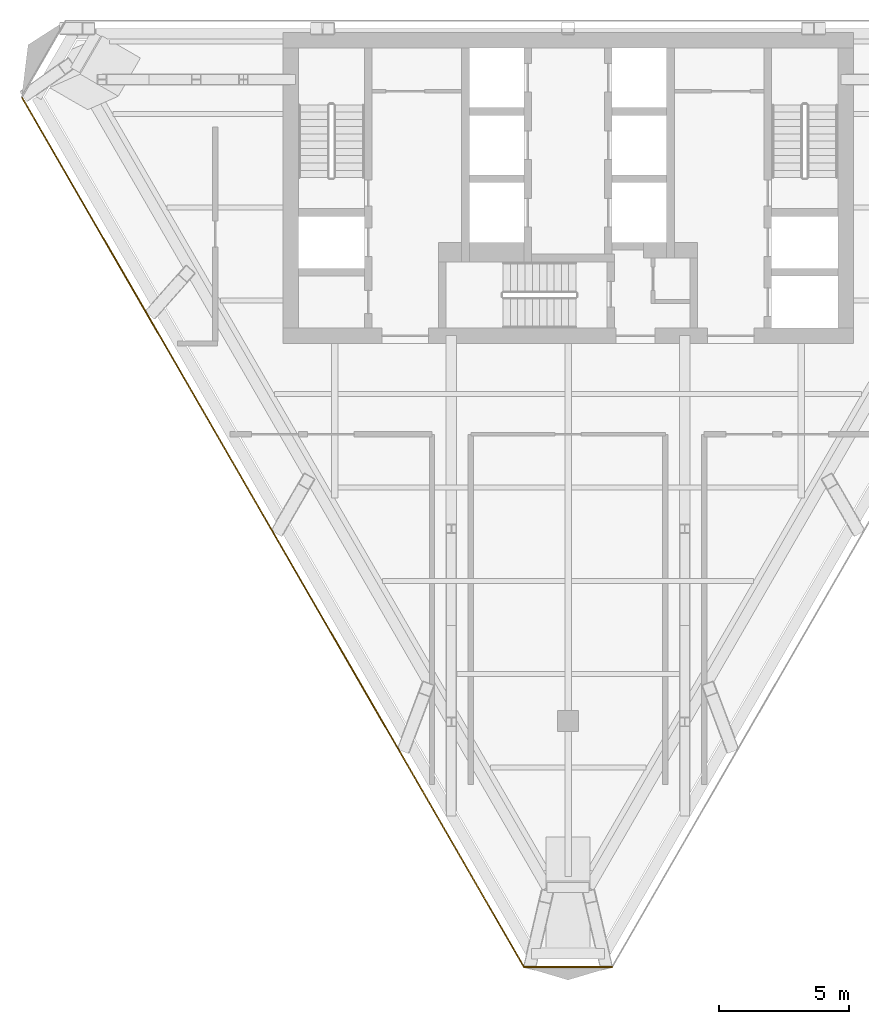
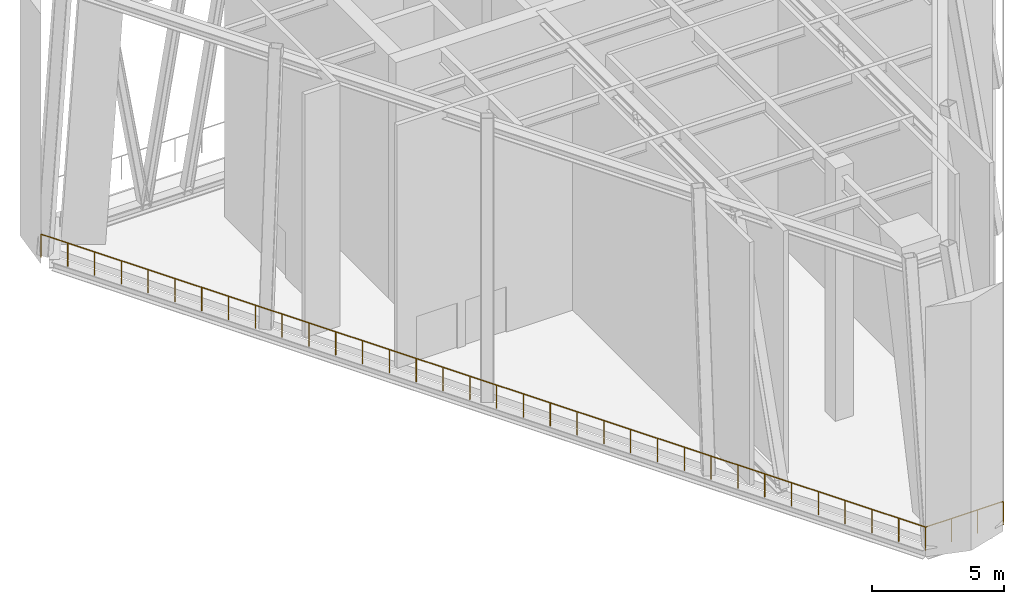
# One storey, part 6 of 11: 2 railings.
"""IFC4 building model written with IfcOpenShell, lengths in metres."""

from ifc_helpers import new_model, si_unit, direction, frame, origin, origin_2d, place, context, subcontext, project, spatial, circle, extrude, material, type_object, element, save


model = new_model("IFC4")

# Units and contexts
model_context = context("Model", 3, precision=1e-05, world=origin(), true_north=direction((0.0, 1.0)))
body_context = subcontext(model_context, "Body", "Model", "MODEL_VIEW")
ifc_project = project(units=[si_unit("LENGTHUNIT", "METRE"), si_unit("AREAUNIT", "SQUARE_METRE"), si_unit("VOLUMEUNIT", "CUBIC_METRE"), si_unit("PLANEANGLEUNIT", "RADIAN"), si_unit("MASSUNIT", "GRAM", prefix="KILO")], contexts=[model_context])

# Site, building, storey
site_placement = place(None, origin())
site = spatial("IfcSite", under=ifc_project, at=site_placement, CompositionType="ELEMENT")
building_placement = place(site_placement, origin())
building = spatial("IfcBuilding", under=site, at=building_placement, Name="Aloe Facet Convention Tower", CompositionType="ELEMENT")
storey_placement = place(building_placement, frame((0.0, 0.0, 227.0)))
storey = spatial("IfcBuildingStorey", under=building, at=storey_placement, Name="L57", CompositionType="ELEMENT", Elevation=227.0)

# Railings
ifc_material = material(Name="Steel S355", Category="steel")
railing_type = type_object("IfcRailingType", Name="EV-GUARD-PORTAL", PredefinedType="GUARDRAIL", material=ifc_material)
railing_1_placement = place(storey_placement, frame((58.935302734375, 132.055419921875, 0.0)))
element("IfcRailing", 1, at=railing_1_placement, inside=storey, type_object=railing_type, Name="GUARD L57-3", PredefinedType="GUARDRAIL", context=body_context, shape_type="SweptSolid", body=[
    extrude(circle(Radius=0.02392578125, at=origin_2d()), frame((0.0, 0.0, 1.076171875), z_axis=(0.500002199942, -0.866024133644, 0.0), x_axis=(0.866024133644, 0.500002199942, 0.0)), (0.0, 0.0, 1.0), 38.729248046875),
    extrude(circle(Radius=0.02099609375, at=origin_2d()), origin(), (0.0, 0.0, 1.0), 1.052001953125),
    extrude(circle(Radius=0.02099609375, at=origin_2d()), frame((0.5869140625, -1.016357421875, 0.0)), (0.0, 0.0, 1.0), 1.052001953125),
    extrude(circle(Radius=0.02099609375, at=origin_2d()), frame((1.173583984375, -2.03271484375, 0.0)), (0.0, 0.0, 1.0), 1.052001953125),
    extrude(circle(Radius=0.02099609375, at=origin_2d()), frame((1.760498046875, -3.049072265625, 0.0)), (0.0, 0.0, 1.0), 1.052001953125),
    extrude(circle(Radius=0.02099609375, at=origin_2d()), frame((2.34716796875, -4.0654296875, 0.0)), (0.0, 0.0, 1.0), 1.052001953125),
    extrude(circle(Radius=0.02099609375, at=origin_2d()), frame((2.93408203125, -5.081787109375, 0.0)), (0.0, 0.0, 1.0), 1.052001953125),
    extrude(circle(Radius=0.02099609375, at=origin_2d()), frame((3.520751953125, -6.098388671875, 0.0)), (0.0, 0.0, 1.0), 1.052001953125),
    extrude(circle(Radius=0.02099609375, at=origin_2d()), frame((4.107666015625, -7.11474609375, 0.0)), (0.0, 0.0, 1.0), 1.052001953125),
    extrude(circle(Radius=0.02099609375, at=origin_2d()), frame((4.694580078125, -8.131103515625, 0.0)), (0.0, 0.0, 1.0), 1.052001953125),
    extrude(circle(Radius=0.02099609375, at=origin_2d()), frame((5.28125, -9.1474609375, 0.0)), (0.0, 0.0, 1.0), 1.052001953125),
    extrude(circle(Radius=0.02099609375, at=origin_2d()), frame((5.8681640625, -10.163818359375, 0.0)), (0.0, 0.0, 1.0), 1.052001953125),
    extrude(circle(Radius=0.02099609375, at=origin_2d()), frame((6.454833984375, -11.18017578125, 0.0)), (0.0, 0.0, 1.0), 1.052001953125),
    extrude(circle(Radius=0.02099609375, at=origin_2d()), frame((7.041748046875, -12.196533203125, 0.0)), (0.0, 0.0, 1.0), 1.052001953125),
    extrude(circle(Radius=0.02099609375, at=origin_2d()), frame((7.62841796875, -13.212890625, 0.0)), (0.0, 0.0, 1.0), 1.052001953125),
    extrude(circle(Radius=0.02099609375, at=origin_2d()), frame((8.21533203125, -14.229248046875, 0.0)), (0.0, 0.0, 1.0), 1.052001953125),
    extrude(circle(Radius=0.02099609375, at=origin_2d()), frame((8.80224609375, -15.24560546875, 0.0)), (0.0, 0.0, 1.0), 1.052001953125),
    extrude(circle(Radius=0.02099609375, at=origin_2d()), frame((9.388916015625, -16.261962890625, 0.0)), (0.0, 0.0, 1.0), 1.052001953125),
    extrude(circle(Radius=0.02099609375, at=origin_2d()), frame((9.975830078125, -17.278564453125, 0.0)), (0.0, 0.0, 1.0), 1.052001953125),
    extrude(circle(Radius=0.02099609375, at=origin_2d()), frame((10.5625, -18.294921875, 0.0)), (0.0, 0.0, 1.0), 1.052001953125),
    extrude(circle(Radius=0.02099609375, at=origin_2d()), frame((11.1494140625, -19.311279296875, 0.0)), (0.0, 0.0, 1.0), 1.052001953125),
    extrude(circle(Radius=0.02099609375, at=origin_2d()), frame((11.736328125, -20.32763671875, 0.0)), (0.0, 0.0, 1.0), 1.052001953125),
    extrude(circle(Radius=0.02099609375, at=origin_2d()), frame((12.322998046875, -21.343994140625, 0.0)), (0.0, 0.0, 1.0), 1.052001953125),
    extrude(circle(Radius=0.02099609375, at=origin_2d()), frame((12.909912109375, -22.3603515625, 0.0)), (0.0, 0.0, 1.0), 1.052001953125),
    extrude(circle(Radius=0.02099609375, at=origin_2d()), frame((13.49658203125, -23.376708984375, 0.0)), (0.0, 0.0, 1.0), 1.052001953125),
    extrude(circle(Radius=0.02099609375, at=origin_2d()), frame((14.08349609375, -24.39306640625, 0.0)), (0.0, 0.0, 1.0), 1.052001953125),
    extrude(circle(Radius=0.02099609375, at=origin_2d()), frame((14.670166015625, -25.409423828125, 0.0)), (0.0, 0.0, 1.0), 1.052001953125),
    extrude(circle(Radius=0.02099609375, at=origin_2d()), frame((15.257080078125, -26.42578125, 0.0)), (0.0, 0.0, 1.0), 1.052001953125),
    extrude(circle(Radius=0.02099609375, at=origin_2d()), frame((15.843994140625, -27.442138671875, 0.0)), (0.0, 0.0, 1.0), 1.052001953125),
    extrude(circle(Radius=0.02099609375, at=origin_2d()), frame((16.4306640625, -28.458740234375, 0.0)), (0.0, 0.0, 1.0), 1.052001953125),
    extrude(circle(Radius=0.02099609375, at=origin_2d()), frame((17.017578125, -29.47509765625, 0.0)), (0.0, 0.0, 1.0), 1.052001953125),
    extrude(circle(Radius=0.02099609375, at=origin_2d()), frame((17.604248046875, -30.491455078125, 0.0)), (0.0, 0.0, 1.0), 1.052001953125),
    extrude(circle(Radius=0.02099609375, at=origin_2d()), frame((18.191162109375, -31.5078125, 0.0)), (0.0, 0.0, 1.0), 1.052001953125),
    extrude(circle(Radius=0.02099609375, at=origin_2d()), frame((18.77783203125, -32.524169921875, 0.0)), (0.0, 0.0, 1.0), 1.052001953125),
    extrude(circle(Radius=0.02099609375, at=origin_2d()), frame((19.36474609375, -33.54052734375, 0.0)), (0.0, 0.0, 1.0), 1.052001953125),
])
railing_2_placement = place(storey_placement, frame((78.300048828125, 98.514892578125, 0.0)))
element("IfcRailing", 2, at=railing_2_placement, inside=storey, type_object=railing_type, Name="GUARD L57-4", PredefinedType="GUARDRAIL", context=body_context, shape_type="SweptSolid", body=[
    extrude(circle(Radius=0.02392578125, at=origin_2d()), frame((0.0, 0.0, 1.076171875), z_axis=(1.0, 0.0, 0.0), x_axis=(0.0, 1.0, 0.0)), (0.0, 0.0, 1.0), 3.39990234375),
    extrude(circle(Radius=0.02099609375, at=origin_2d()), origin(), (0.0, 0.0, 1.0), 1.052001953125),
    extrude(circle(Radius=0.02099609375, at=origin_2d()), frame((1.13330078125, 0.0, 0.0)), (0.0, 0.0, 1.0), 1.052001953125),
    extrude(circle(Radius=0.02099609375, at=origin_2d()), frame((2.2666015625, 0.0, 0.0)), (0.0, 0.0, 1.0), 1.052001953125),
    extrude(circle(Radius=0.02099609375, at=origin_2d()), frame((3.39990234375, 0.0, 0.0)), (0.0, 0.0, 1.0), 1.052001953125),
])

save(model, "model.ifc")
